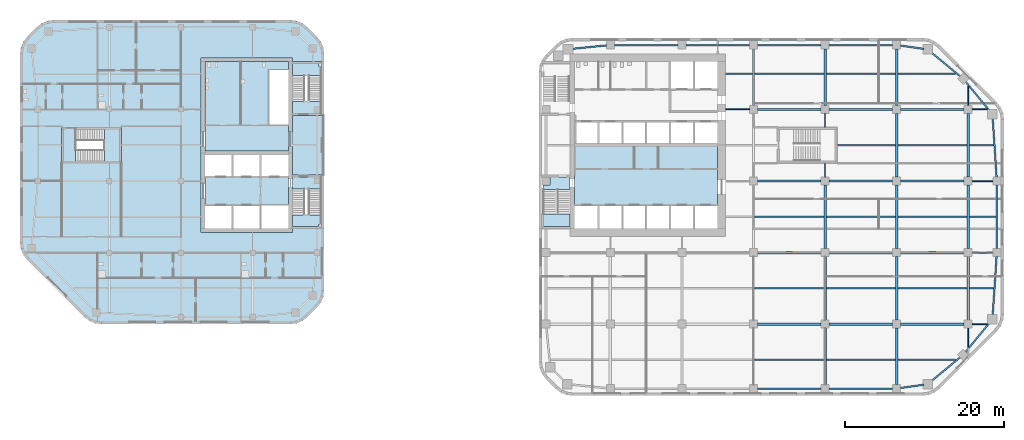
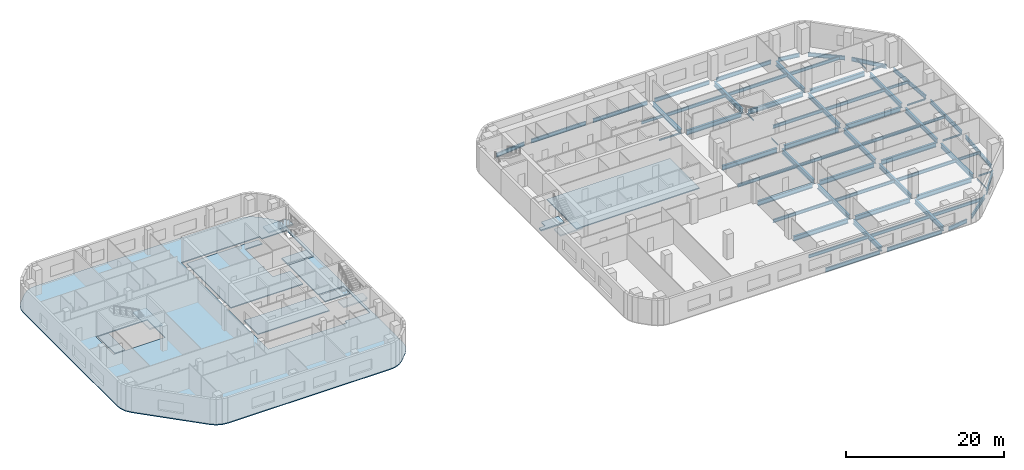
# One storey, part 3 of 16: 68 beams, 12 slabs, 4 elements without a shape of their own.
"""IFC4 building model written with IfcOpenShell, lengths in metres."""

import ifcopenshell
import ifcopenshell.guid

model = None  # the IFC model being written
_history = None  # IfcOwnerHistory: only IFC2X3 demands one
_inside = {}  # id of a spatial element -> (the spatial element, [elements in it])
_under = {}  # id of a project, library or spatial element -> (it, [spatial elements below it])
_declared = {}  # id of a project -> (the project, [libraries it declares])
_typed = {}  # id of a type object -> (the type object, [elements of that type])
_made_of = {}  # id of a material, layer set ... -> (it, [elements and type objects made of it])


def new_model(schema):
    """Start an empty IFC model of exactly this schema.

    Asked for "IFC4X3", IfcOpenShell would pick the latest addendum, in which some entities
    have other attributes; the version numbers below select the first issue.
    IFC2X3 requires an IfcOwnerHistory on every rooted entity: one is made here for all.
    """
    global model, _history
    if schema == "IFC4X3":
        model = ifcopenshell.file(schema_version=(4, 3, 0, 0))
    else:
        model = ifcopenshell.file(schema=schema)
    _inside.clear()
    _under.clear()
    _declared.clear()
    _typed.clear()
    _made_of.clear()
    _history = None
    if model.schema == "IFC2X3":
        org = make("IfcOrganization", Name="unknown")
        user = make(
            "IfcPersonAndOrganization",
            ThePerson=make("IfcPerson", FamilyName="unknown"),
            TheOrganization=org,
        )
        app = make(
            "IfcApplication",
            ApplicationDeveloper=org,
            Version="unknown",
            ApplicationFullName="unknown",
            ApplicationIdentifier="unknown",
        )
        _history = make(
            "IfcOwnerHistory",
            OwningUser=user,
            OwningApplication=app,
            ChangeAction="ADDED",
            CreationDate=0,
        )
    return model


def make(cls, **values):
    """One entity of the class cls with the attributes given. An attribute that is None is left unset."""
    return model.create_entity(
        cls, **{name: value for name, value in values.items() if value is not None}
    )


def rooted(cls, **values):
    """An entity with a GlobalId (a new one), such as an element, a storey or a relation."""
    return make(cls, GlobalId=ifcopenshell.guid.new(), OwnerHistory=_history, **values)


def si_unit(unit_type, name, prefix=None):
    """IfcSIUnit, for example si_unit("LENGTHUNIT", "METRE", prefix="MILLI")."""
    return make("IfcSIUnit", UnitType=unit_type, Prefix=prefix, Name=name)


def assignment(units):
    """IfcUnitAssignment: the units of a project."""
    return None if units is None else make("IfcUnitAssignment", Units=units)


def point(xyz):
    """IfcCartesianPoint."""
    return None if xyz is None else make("IfcCartesianPoint", Coordinates=xyz)


def direction(xyz):
    """IfcDirection."""
    return None if xyz is None else make("IfcDirection", DirectionRatios=xyz)


def frame(location, z_axis=None, x_axis=None):
    """IfcAxis2Placement3D, a coordinate frame: its origin and axes. An axis left out is left unset."""
    return make(
        "IfcAxis2Placement3D",
        Location=point(location),
        Axis=direction(z_axis),
        RefDirection=direction(x_axis),
    )


def frame_2d(location, x_axis=None):
    """IfcAxis2Placement2D, a coordinate frame in the plane: its origin and x axis."""
    return make(
        "IfcAxis2Placement2D", Location=point(location), RefDirection=direction(x_axis)
    )


def origin():
    """The frame at (0, 0, 0) with its axes left unset."""
    return frame((0.0, 0.0, 0.0))


def origin_2d():
    """The frame at (0, 0) in the plane with its x axis left unset."""
    return frame_2d((0.0, 0.0))


def place(relative_to, where):
    """IfcLocalPlacement: puts the frame where relative to a parent placement (None: the world)."""
    return make(
        "IfcLocalPlacement", PlacementRelTo=relative_to, RelativePlacement=where
    )


def context(
    kind, dimensions, precision=None, world=None, true_north=None, identifier=None
):
    """IfcGeometricRepresentationContext, for example the 3D "Model" context."""
    return make(
        "IfcGeometricRepresentationContext",
        ContextIdentifier=identifier,
        ContextType=kind,
        CoordinateSpaceDimension=dimensions,
        Precision=precision,
        WorldCoordinateSystem=world,
        TrueNorth=true_north,
    )


def subcontext(parent, identifier, kind, view, scale=None):
    """IfcGeometricRepresentationSubContext, for example "Body" below "Model"."""
    return make(
        "IfcGeometricRepresentationSubContext",
        ContextIdentifier=identifier,
        ContextType=kind,
        ParentContext=parent,
        TargetScale=scale,
        TargetView=view,
    )


def project(units=None, contexts=None):
    """IfcProject with its units and contexts."""
    return rooted(
        "IfcProject",
        Name="project",
        RepresentationContexts=contexts,
        UnitsInContext=assignment(units),
    )


def spatial(cls, under=None, at=None, **own):
    """A site, building, storey or space (cls), placed at a placement, below another one or the project."""
    s = rooted(cls, ObjectPlacement=at, **own)
    if under is not None:
        _under.setdefault(under.id(), (under, []))[1].append(s)
    return s


def polyline(points):
    """IfcPolyline through the points."""
    return make("IfcPolyline", Points=[point(p) for p in points])


def profile(cls, at=None, kind="AREA", **sizes):
    """A parametric profile (cls). Its sizes go by their IFC names, for example OverallWidth=200.0."""
    return make(cls, ProfileType=kind, Position=at, **sizes)


def i_section(**sizes):
    """IfcIShapeProfileDef."""
    return profile("IfcIShapeProfileDef", **sizes)


def outline(outer, holes=None, kind="AREA"):
    """IfcArbitraryClosedProfileDef: a profile drawn as a closed curve; with holes, ...WithVoids."""
    if holes is None:
        return make("IfcArbitraryClosedProfileDef", ProfileType=kind, OuterCurve=outer)
    return make(
        "IfcArbitraryProfileDefWithVoids",
        ProfileType=kind,
        OuterCurve=outer,
        InnerCurves=holes,
    )


def extrude(swept, where, along, depth):
    """IfcExtrudedAreaSolid: the profile swept, set in the frame where, extruded along a direction by depth."""
    return make(
        "IfcExtrudedAreaSolid",
        SweptArea=swept,
        Position=where,
        ExtrudedDirection=direction(along),
        Depth=depth,
    )


def shape(context_of_items, identifier, shape_type, items):
    """IfcShapeRepresentation: the items that make up one representation, for example the "Body"."""
    return make(
        "IfcShapeRepresentation",
        ContextOfItems=context_of_items,
        RepresentationIdentifier=identifier,
        RepresentationType=shape_type,
        Items=items,
    )


def material(Name=None, Category=None):
    """IfcMaterial."""
    return make("IfcMaterial", Name=Name, Category=Category)


def layer(
    of_material, thickness, ventilated=None, Name=None, Category=None, Priority=None
):
    """IfcMaterialLayer: one layer of a wall or slab, of a material (None: an air gap)."""
    return make(
        "IfcMaterialLayer",
        Material=of_material,
        LayerThickness=thickness,
        IsVentilated=ventilated,
        Name=Name,
        Category=Category,
        Priority=Priority,
    )


def layer_set(layers, Name=None):
    """IfcMaterialLayerSet."""
    return make("IfcMaterialLayerSet", MaterialLayers=layers, LayerSetName=Name)


def material_profile(
    of_material, cross_section, Name=None, Category=None, Priority=None
):
    """IfcMaterialProfile: a cross section and its material."""
    return make(
        "IfcMaterialProfile",
        Name=Name,
        Material=of_material,
        Profile=cross_section,
        Priority=Priority,
        Category=Category,
    )


def profile_set(profiles, Name=None, composite=None):
    """IfcMaterialProfileSet."""
    return make(
        "IfcMaterialProfileSet",
        Name=Name,
        MaterialProfiles=profiles,
        CompositeProfile=composite,
    )


def made_of(thing, what):
    """Note that an element or type object is made of a material, layer set ...; save() writes the relation."""
    if what is not None:
        _made_of.setdefault(what.id(), (what, []))[1].append(thing)
    return thing


def type_object(cls, material=None, **own):
    """A type object (cls), such as IfcWallType, which elements share."""
    return made_of(rooted(cls, **own), material)


def element(
    cls,
    number,
    at=None,
    inside=None,
    cuts=None,
    type_object=None,
    material=None,
    context=None,
    identifier="Body",
    shape_type=None,
    held_by="IfcProductDefinitionShape",
    body=None,
    shapes=None,
    **own,
):
    """One element of the class cls, such as IfcWall. Its Tag is "e" and its number.

    at: its placement. inside: the storey or other place that contains it. cuts: it is an
    opening in that element (IfcRelVoidsElement). A single representation is given by context,
    identifier, shape_type and body (its items); several are given by shapes. held_by: the class
    of the entity that holds the representations. save() writes the other relations.
    """
    e = rooted(cls, Tag="e%d" % number, ObjectPlacement=at, **own)
    if body is not None:
        shapes = [shape(context, identifier, shape_type, body)]
    if shapes is not None:
        e.Representation = make(held_by, Representations=shapes)
    if inside is not None:
        _inside.setdefault(inside.id(), (inside, []))[1].append(e)
    if cuts is not None:
        rooted(
            "IfcRelVoidsElement", RelatingBuildingElement=cuts, RelatedOpeningElement=e
        )
    if type_object is not None:
        _typed.setdefault(type_object.id(), (type_object, []))[1].append(e)
    return made_of(e, material)


def aggregate(whole, parts):
    """IfcRelAggregates: a whole, such as a stair, and the parts it consists of."""
    return rooted("IfcRelAggregates", RelatingObject=whole, RelatedObjects=parts)


def save(model, path):
    """Write the relations noted so far, then the file.

    IfcRelAggregates (storeys below a building ...), IfcRelContainedInSpatialStructure (elements
    in a storey), IfcRelDefinesByType, IfcRelAssociatesMaterial and IfcRelDeclares: one each for
    every whole, place, type object, material and project.
    """
    for whole, parts in _under.values():
        aggregate(whole, parts)
    for where, things in _inside.values():
        rooted(
            "IfcRelContainedInSpatialStructure",
            RelatedElements=things,
            RelatingStructure=where,
        )
    for kind, things in _typed.values():
        rooted("IfcRelDefinesByType", RelatedObjects=things, RelatingType=kind)
    for what, things in _made_of.values():
        rooted("IfcRelAssociatesMaterial", RelatedObjects=things, RelatingMaterial=what)
    for by, libraries in _declared.values():
        rooted("IfcRelDeclares", RelatingContext=by, RelatedDefinitions=libraries)
    model.write(path)


model = new_model("IFC4")

# Units and contexts
model_context = context("Model", 3, precision=1e-05, world=origin(), true_north=direction((0.0, 1.0)))
body_context = subcontext(model_context, "Body", "Model", "MODEL_VIEW")
ifc_project = project(units=[si_unit("LENGTHUNIT", "METRE"), si_unit("AREAUNIT", "SQUARE_METRE"), si_unit("VOLUMEUNIT", "CUBIC_METRE"), si_unit("PLANEANGLEUNIT", "RADIAN"), si_unit("MASSUNIT", "GRAM", prefix="KILO")], contexts=[model_context])

# Site, building, storey
site_placement = place(None, origin())
site = spatial("IfcSite", under=ifc_project, at=site_placement, CompositionType="ELEMENT")
building_placement = place(site_placement, origin())
building = spatial("IfcBuilding", under=site, at=building_placement, Name="Cinnabar Reach Civic Tower", CompositionType="ELEMENT")
storey_placement = place(building_placement, frame((0.0, 0.0, 79.0)))
storey = spatial("IfcBuildingStorey", under=building, at=storey_placement, Name="L18", CompositionType="ELEMENT", Elevation=79.0)

# Beams
ifc_material_1 = material(Name="Steel Q355B", Category="steel")
ifc_material_profile_1 = material_profile(ifc_material_1, i_section(OverallWidth=0.099, OverallDepth=0.198, WebThickness=0.0045, FlangeThickness=0.007, FilletRadius=0.013, at=origin_2d()), Name="HN200x100x5.5x8")
ifc_profile_set_1 = profile_set([ifc_material_profile_1], Name="Steel Q355B")
beam_type_1 = type_object("IfcBeamType", Name="HN200x100x5.5x8 beam R 180", PredefinedType="BEAM", material=ifc_profile_set_1)
for number, where, z_axis, x_axis, name in (
    (1, (36.0, 27.502, -0.249), (0.0, 1.0, 0.0), (-1.0, 0.0, 0.0), "Girder T1 L18 15"),
    (2, (36.0, 33.752, -0.249), (0.0, 1.0, 0.0), (-1.0, 0.0, 0.0), "Girder T1 L18 16"),
):
    element("IfcBeam", number, at=place(storey_placement, frame(where, z_axis=z_axis, x_axis=x_axis)), inside=storey, type_object=beam_type_1, Name=name, PredefinedType="BEAM", context=body_context, shape_type="SweptSolid", body=[
        extrude(i_section(OverallWidth=0.099, OverallDepth=0.198, WebThickness=0.0045, FlangeThickness=0.007, FilletRadius=0.013, at=origin_2d()), origin(), (0.0, 0.0, 1.0), 1.746),
    ])
for number, where, z_axis, x_axis, name in (
    (3, (54.0, 6.0682, -0.249), (0.0, 1.0, 0.0), (-1.0, 0.0, 0.0), "Girder T1 L18 23"),
    (4, (54.0, 36.502, -0.249), (0.0, 1.0, 0.0), (-1.0, 0.0, 0.0), "Girder T1 L18 27"),
):
    element("IfcBeam", number, at=place(storey_placement, frame(where, z_axis=z_axis, x_axis=x_axis)), inside=storey, type_object=beam_type_1, Name=name, PredefinedType="BEAM", context=body_context, shape_type="SweptSolid", body=[
        extrude(i_section(OverallWidth=0.099, OverallDepth=0.198, WebThickness=0.0045, FlangeThickness=0.007, FilletRadius=0.013, at=origin_2d()), origin(), (0.0, 0.0, 1.0), 2.4298),
    ])
ifc_material_profile_2 = material_profile(ifc_material_1, i_section(OverallWidth=0.124, OverallDepth=0.248, WebThickness=0.005, FlangeThickness=0.008, FilletRadius=0.013, at=origin_2d()), Name="HN250x125x6x9")
ifc_profile_set_2 = profile_set([ifc_material_profile_2], Name="Steel Q355B")
beam_type_2 = type_object("IfcBeamType", Name="HN250x125x6x9 beam R 180", PredefinedType="BEAM", material=ifc_profile_set_2)
beam_1_placement = place(storey_placement, frame((54.502, 9.0, -0.274), z_axis=(1.0, 0.0, 0.0), x_axis=(0.0, 1.0, 0.0)))
element("IfcBeam", 5, at=beam_1_placement, inside=storey, type_object=beam_type_2, Name="Girder T1 L18 7", PredefinedType="BEAM", context=body_context, shape_type="SweptSolid", body=[
    extrude(i_section(OverallWidth=0.124, OverallDepth=0.248, WebThickness=0.005, FlangeThickness=0.008, FilletRadius=0.013, at=origin_2d()), origin(), (0.0, 0.0, 1.0), 1.9162),
])
for number, where, z_axis, x_axis, name in (
    (6, (54.502, 18.0, -0.274), (1.0, 0.0, 0.0), (0.0, 1.0, 0.0), "Girder T1 L18 14"),
    (7, (54.502, 27.0, -0.274), (1.0, 0.0, 0.0), (0.0, 1.0, 0.0), "Girder T1 L18 19"),
):
    element("IfcBeam", number, at=place(storey_placement, frame(where, z_axis=z_axis, x_axis=x_axis)), inside=storey, type_object=beam_type_2, Name=name, PredefinedType="BEAM", context=body_context, shape_type="SweptSolid", body=[
        extrude(i_section(OverallWidth=0.124, OverallDepth=0.248, WebThickness=0.005, FlangeThickness=0.008, FilletRadius=0.013, at=origin_2d()), origin(), (0.0, 0.0, 1.0), 2.596),
    ])
beam_2_placement = place(storey_placement, frame((23.502, 36.0, -0.274), z_axis=(1.0, 0.0, 0.0), x_axis=(0.0, 1.0, 0.0)))
element("IfcBeam", 8, at=beam_2_placement, inside=storey, type_object=beam_type_2, Name="Girder T1 L18 20", PredefinedType="BEAM", context=body_context, shape_type="SweptSolid", body=[
    extrude(i_section(OverallWidth=0.124, OverallDepth=0.248, WebThickness=0.005, FlangeThickness=0.008, FilletRadius=0.013, at=origin_2d()), origin(), (0.0, 0.0, 1.0), 2.996),
])
beam_3_placement = place(storey_placement, frame((54.502, 36.0, -0.274), z_axis=(1.0, 0.0, 0.0), x_axis=(0.0, 1.0, 0.0)))
element("IfcBeam", 9, at=beam_3_placement, inside=storey, type_object=beam_type_2, Name="Girder T1 L18 24", PredefinedType="BEAM", context=body_context, shape_type="SweptSolid", body=[
    extrude(i_section(OverallWidth=0.124, OverallDepth=0.248, WebThickness=0.005, FlangeThickness=0.008, FilletRadius=0.013, at=origin_2d()), origin(), (0.0, 0.0, 1.0), 1.9162),
])
ifc_material_profile_3 = material_profile(ifc_material_1, i_section(OverallWidth=0.2, OverallDepth=0.4, WebThickness=0.008, FlangeThickness=0.013, FilletRadius=0.016, at=origin_2d()), Name="HN400x200x8x13")
ifc_profile_set_3 = profile_set([ifc_material_profile_3], Name="Steel Q355B")
beam_type_3 = type_object("IfcBeamType", Name="HN400x200x8x13 beam R 180", PredefinedType="BEAM", material=ifc_profile_set_3)
beam_4_placement = place(storey_placement, frame((54.152, 13.5, -0.35), z_axis=(1.0, 0.0, 0.0), x_axis=(0.0, 1.0, 0.0)))
element("IfcBeam", 10, at=beam_4_placement, inside=storey, type_object=beam_type_3, Name="Secondary beam T1 L18 13", PredefinedType="BEAM", context=body_context, shape_type="SweptSolid", body=[
    extrude(i_section(OverallWidth=0.2, OverallDepth=0.4, WebThickness=0.008, FlangeThickness=0.013, FilletRadius=0.016, at=origin_2d()), origin(), (0.0, 0.0, 1.0), 3.0494),
])
beam_5_placement = place(storey_placement, frame((54.152, 22.5, -0.35), z_axis=(1.0, 0.0, 0.0), x_axis=(0.0, 1.0, 0.0)))
element("IfcBeam", 11, at=beam_5_placement, inside=storey, type_object=beam_type_3, Name="Secondary beam T1 L18 18", PredefinedType="BEAM", context=body_context, shape_type="SweptSolid", body=[
    extrude(i_section(OverallWidth=0.2, OverallDepth=0.4, WebThickness=0.008, FlangeThickness=0.013, FilletRadius=0.016, at=origin_2d()), origin(), (0.0, 0.0, 1.0), 3.346),
])
beam_6_placement = place(storey_placement, frame((54.152, 31.5, -0.35), z_axis=(1.0, 0.0, 0.0), x_axis=(0.0, 1.0, 0.0)))
element("IfcBeam", 12, at=beam_6_placement, inside=storey, type_object=beam_type_3, Name="Secondary beam T1 L18 24", PredefinedType="BEAM", context=body_context, shape_type="SweptSolid", body=[
    extrude(i_section(OverallWidth=0.2, OverallDepth=0.4, WebThickness=0.008, FlangeThickness=0.013, FilletRadius=0.016, at=origin_2d()), origin(), (0.0, 0.0, 1.0), 3.0494),
])
beam_7_placement = place(storey_placement, frame((23.502, 40.5, -0.35), z_axis=(1.0, 0.0, 0.0), x_axis=(0.0, 1.0, 0.0)))
element("IfcBeam", 13, at=beam_7_placement, inside=storey, type_object=beam_type_3, Name="Secondary beam T1 L18 25", PredefinedType="BEAM", context=body_context, shape_type="SweptSolid", body=[
    extrude(i_section(OverallWidth=0.2, OverallDepth=0.4, WebThickness=0.008, FlangeThickness=0.013, FilletRadius=0.016, at=origin_2d()), origin(), (0.0, 0.0, 1.0), 3.346),
])
ifc_material_profile_4 = material_profile(ifc_material_1, i_section(OverallWidth=0.2, OverallDepth=0.5, WebThickness=0.01, FlangeThickness=0.016, FilletRadius=0.016, at=origin_2d()), Name="HN500x200x10x16")
ifc_profile_set_4 = profile_set([ifc_material_profile_4], Name="Steel Q355B")
beam_type_4 = type_object("IfcBeamType", Name="HN500x200x10x16 beam R 180", PredefinedType="BEAM", material=ifc_profile_set_4)
for number, where, z_axis, x_axis, name in (
    (14, (27.152, 4.5, -0.4), (1.0, 0.0, 0.0), (0.0, 1.0, 0.0), "Secondary beam T1 L18 4"),
    (15, (36.152, 4.5, -0.4), (1.0, 0.0, 0.0), (0.0, 1.0, 0.0), "Secondary beam T1 L18 5"),
):
    element("IfcBeam", number, at=place(storey_placement, frame(where, z_axis=z_axis, x_axis=x_axis)), inside=storey, type_object=beam_type_4, Name=name, PredefinedType="BEAM", context=body_context, shape_type="SweptSolid", body=[
        extrude(i_section(OverallWidth=0.2, OverallDepth=0.5, WebThickness=0.01, FlangeThickness=0.016, FilletRadius=0.016, at=origin_2d()), origin(), (0.0, 0.0, 1.0), 8.696),
    ])
beam_8_placement = place(storey_placement, frame((45.152, 4.5, -0.4), z_axis=(1.0, 0.0, 0.0), x_axis=(0.0, 1.0, 0.0)))
element("IfcBeam", 16, at=beam_8_placement, inside=storey, type_object=beam_type_4, Name="Secondary beam T1 L18 6", PredefinedType="BEAM", context=body_context, shape_type="SweptSolid", body=[
    extrude(i_section(OverallWidth=0.2, OverallDepth=0.5, WebThickness=0.01, FlangeThickness=0.016, FilletRadius=0.016, at=origin_2d()), origin(), (0.0, 0.0, 1.0), 7.2798),
])
for number, where, z_axis, x_axis, name in (
    (17, (27.152, 13.5, -0.4), (1.0, 0.0, 0.0), (0.0, 1.0, 0.0), "Secondary beam T1 L18 10"),
    (18, (36.152, 13.5, -0.4), (1.0, 0.0, 0.0), (0.0, 1.0, 0.0), "Secondary beam T1 L18 11"),
    (19, (45.152, 13.5, -0.4), (1.0, 0.0, 0.0), (0.0, 1.0, 0.0), "Secondary beam T1 L18 12"),
    (20, (27.152, 22.5, -0.4), (1.0, 0.0, 0.0), (0.0, 1.0, 0.0), "Secondary beam T1 L18 15"),
    (21, (36.152, 22.5, -0.4), (1.0, 0.0, 0.0), (0.0, 1.0, 0.0), "Secondary beam T1 L18 16"),
    (22, (45.152, 22.5, -0.4), (1.0, 0.0, 0.0), (0.0, 1.0, 0.0), "Secondary beam T1 L18 17"),
):
    element("IfcBeam", number, at=place(storey_placement, frame(where, z_axis=z_axis, x_axis=x_axis)), inside=storey, type_object=beam_type_4, Name=name, PredefinedType="BEAM", context=body_context, shape_type="SweptSolid", body=[
        extrude(i_section(OverallWidth=0.2, OverallDepth=0.5, WebThickness=0.01, FlangeThickness=0.016, FilletRadius=0.016, at=origin_2d()), origin(), (0.0, 0.0, 1.0), 8.696),
    ])
beam_9_placement = place(storey_placement, frame((37.502, 31.5, -0.4), z_axis=(1.0, 0.0, 0.0), x_axis=(0.0, 1.0, 0.0)))
element("IfcBeam", 23, at=beam_9_placement, inside=storey, type_object=beam_type_4, Name="Secondary beam T1 L18 22", PredefinedType="BEAM", context=body_context, shape_type="SweptSolid", body=[
    extrude(i_section(OverallWidth=0.2, OverallDepth=0.5, WebThickness=0.01, FlangeThickness=0.016, FilletRadius=0.016, at=origin_2d()), origin(), (0.0, 0.0, 1.0), 7.346),
])
for number, where, z_axis, x_axis, name in (
    (24, (45.152, 31.5, -0.4), (1.0, 0.0, 0.0), (0.0, 1.0, 0.0), "Secondary beam T1 L18 23"),
    (25, (27.152, 40.5, -0.4), (1.0, 0.0, 0.0), (0.0, 1.0, 0.0), "Secondary beam T1 L18 26"),
    (26, (36.152, 40.5, -0.4), (1.0, 0.0, 0.0), (0.0, 1.0, 0.0), "Secondary beam T1 L18 27"),
):
    element("IfcBeam", number, at=place(storey_placement, frame(where, z_axis=z_axis, x_axis=x_axis)), inside=storey, type_object=beam_type_4, Name=name, PredefinedType="BEAM", context=body_context, shape_type="SweptSolid", body=[
        extrude(i_section(OverallWidth=0.2, OverallDepth=0.5, WebThickness=0.01, FlangeThickness=0.016, FilletRadius=0.016, at=origin_2d()), origin(), (0.0, 0.0, 1.0), 8.696),
    ])
beam_10_placement = place(storey_placement, frame((45.152, 40.5, -0.4), z_axis=(1.0, 0.0, 0.0), x_axis=(0.0, 1.0, 0.0)))
element("IfcBeam", 27, at=beam_10_placement, inside=storey, type_object=beam_type_4, Name="Secondary beam T1 L18 28", PredefinedType="BEAM", context=body_context, shape_type="SweptSolid", body=[
    extrude(i_section(OverallWidth=0.2, OverallDepth=0.5, WebThickness=0.01, FlangeThickness=0.016, FilletRadius=0.016, at=origin_2d()), origin(), (0.0, 0.0, 1.0), 7.2798),
])
ifc_material_profile_5 = material_profile(ifc_material_1, i_section(OverallWidth=0.2, OverallDepth=0.6, WebThickness=0.011, FlangeThickness=0.017, FilletRadius=0.016, at=origin_2d()), Name="HN600x200x11x17")
ifc_profile_set_5 = profile_set([ifc_material_profile_5], Name="Steel Q355B")
beam_type_5 = type_object("IfcBeamType", Name="HN600x200x11x17 beam R 180", PredefinedType="BEAM", material=ifc_profile_set_5)
for number, where, z_axis, x_axis, name in (
    (28, (27.502, 0.9, -0.45), (1.0, 0.0, 0.0), (0.0, 1.0, 0.0), "Edge beam T1 L18 4"),
    (29, (36.502, 0.9, -0.45), (1.0, 0.0, 0.0), (0.0, 1.0, 0.0), "Edge beam T1 L18 5"),
):
    element("IfcBeam", number, at=place(storey_placement, frame(where, z_axis=z_axis, x_axis=x_axis)), inside=storey, type_object=beam_type_5, Name=name, PredefinedType="BEAM", context=body_context, shape_type="SweptSolid", body=[
        extrude(i_section(OverallWidth=0.2, OverallDepth=0.6, WebThickness=0.011, FlangeThickness=0.017, FilletRadius=0.016, at=origin_2d()), origin(), (0.0, 0.0, 1.0), 7.996),
    ])
beam_11_placement = place(storey_placement, frame((45.502, 0.9712, -0.45), z_axis=(0.990082238922, 0.140489003738, 0.0), x_axis=(-0.140489003738, 0.990082238922, 0.0)))
element("IfcBeam", 30, at=beam_11_placement, inside=storey, type_object=beam_type_5, Name="Edge beam T1 L18 6", PredefinedType="BEAM", context=body_context, shape_type="SweptSolid", body=[
    extrude(i_section(OverallWidth=0.2, OverallDepth=0.6, WebThickness=0.011, FlangeThickness=0.017, FilletRadius=0.016, at=origin_2d()), origin(), (0.0, 0.0, 1.0), 2.9433),
])
for number, where, z_axis, x_axis, name in (
    (31, (49.3801, 1.8507, -0.45), (0.77143827905, 0.6363041581, 0.0), (-0.6363041581, 0.77143827905, 0.0), "Edge beam T1 L18 7"),
    (32, (53.6461, 5.4789, -0.45), (0.6363041581, 0.77143827905, 0.0), (-0.77143827905, 0.6363041581, 0.0), "Edge beam T1 L18 8"),
):
    element("IfcBeam", number, at=place(storey_placement, frame(where, z_axis=z_axis, x_axis=x_axis)), inside=storey, type_object=beam_type_5, Name=name, PredefinedType="BEAM", context=body_context, shape_type="SweptSolid", body=[
        extrude(i_section(OverallWidth=0.2, OverallDepth=0.6, WebThickness=0.011, FlangeThickness=0.017, FilletRadius=0.016, at=origin_2d()), origin(), (0.0, 0.0, 1.0), 4.7198),
    ])
beam_12_placement = place(storey_placement, frame((57.0786, 10.0839, -0.45), z_axis=(0.065718615968, 0.997838195057, 0.0), x_axis=(-0.997838195057, 0.065718615968, 0.0)))
element("IfcBeam", 33, at=beam_12_placement, inside=storey, type_object=beam_type_5, Name="Edge beam T1 L18 9", PredefinedType="BEAM", context=body_context, shape_type="SweptSolid", body=[
    extrude(i_section(OverallWidth=0.2, OverallDepth=0.6, WebThickness=0.011, FlangeThickness=0.017, FilletRadius=0.016, at=origin_2d()), origin(), (0.0, 0.0, 1.0), 7.4302),
])
beam_13_placement = place(storey_placement, frame((57.6, 18.502, -0.45), z_axis=(0.0, 1.0, 0.0), x_axis=(-1.0, 0.0, 0.0)))
element("IfcBeam", 34, at=beam_13_placement, inside=storey, type_object=beam_type_5, Name="Edge beam T1 L18 10", PredefinedType="BEAM", context=body_context, shape_type="SweptSolid", body=[
    extrude(i_section(OverallWidth=0.2, OverallDepth=0.6, WebThickness=0.011, FlangeThickness=0.017, FilletRadius=0.016, at=origin_2d()), origin(), (0.0, 0.0, 1.0), 7.996),
])
beam_14_placement = place(storey_placement, frame((57.5669, 27.502, -0.45), z_axis=(-0.065718615968, 0.997838195057, 0.0), x_axis=(-0.997838195057, -0.065718615968, 0.0)))
element("IfcBeam", 35, at=beam_14_placement, inside=storey, type_object=beam_type_5, Name="Edge beam T1 L18 11", PredefinedType="BEAM", context=body_context, shape_type="SweptSolid", body=[
    extrude(i_section(OverallWidth=0.2, OverallDepth=0.6, WebThickness=0.011, FlangeThickness=0.017, FilletRadius=0.016, at=origin_2d()), origin(), (0.0, 0.0, 1.0), 7.4302),
])
for number, where, z_axis, x_axis, name in (
    (36, (56.6493, 35.8801, -0.45), (-0.6363041581, 0.77143827905, 0.0), (-0.77143827905, -0.6363041581, 0.0), "Edge beam T1 L18 12"),
    (37, (53.0211, 40.1461, -0.45), (-0.77143827905, 0.6363041581, 0.0), (-0.6363041581, -0.77143827905, 0.0), "Edge beam T1 L18 13"),
):
    element("IfcBeam", number, at=place(storey_placement, frame(where, z_axis=z_axis, x_axis=x_axis)), inside=storey, type_object=beam_type_5, Name=name, PredefinedType="BEAM", context=body_context, shape_type="SweptSolid", body=[
        extrude(i_section(OverallWidth=0.2, OverallDepth=0.6, WebThickness=0.011, FlangeThickness=0.017, FilletRadius=0.016, at=origin_2d()), origin(), (0.0, 0.0, 1.0), 4.7198),
    ])
beam_15_placement = place(storey_placement, frame((48.4161, 43.6153, -0.45), z_axis=(-0.990082238922, 0.140489003738, 0.0), x_axis=(-0.140489003738, -0.990082238922, 0.0)))
element("IfcBeam", 38, at=beam_15_placement, inside=storey, type_object=beam_type_5, Name="Edge beam T1 L18 14", PredefinedType="BEAM", context=body_context, shape_type="SweptSolid", body=[
    extrude(i_section(OverallWidth=0.2, OverallDepth=0.6, WebThickness=0.011, FlangeThickness=0.017, FilletRadius=0.016, at=origin_2d()), origin(), (0.0, 0.0, 1.0), 2.9433),
])
for number, where, z_axis, x_axis, name in (
    (39, (44.498, 44.1, -0.45), (-1.0, 0.0, 0.0), (0.0, -1.0, 0.0), "Edge beam T1 L18 15"),
    (40, (35.498, 44.1, -0.45), (-1.0, 0.0, 0.0), (0.0, -1.0, 0.0), "Edge beam T1 L18 16"),
    (41, (26.498, 44.1, -0.45), (-1.0, 0.0, 0.0), (0.0, -1.0, 0.0), "Edge beam T1 L18 17"),
    (42, (17.498, 44.1, -0.45), (-1.0, 0.0, 0.0), (0.0, -1.0, 0.0), "Edge beam T1 L18 18"),
):
    element("IfcBeam", number, at=place(storey_placement, frame(where, z_axis=z_axis, x_axis=x_axis)), inside=storey, type_object=beam_type_5, Name=name, PredefinedType="BEAM", context=body_context, shape_type="SweptSolid", body=[
        extrude(i_section(OverallWidth=0.2, OverallDepth=0.6, WebThickness=0.011, FlangeThickness=0.017, FilletRadius=0.016, at=origin_2d()), origin(), (0.0, 0.0, 1.0), 7.996),
    ])
beam_16_placement = place(storey_placement, frame((8.498, 44.0505, -0.45), z_axis=(-0.995166374533, -0.098203294236, 0.0), x_axis=(0.098203294236, -0.995166374533, 0.0)))
element("IfcBeam", 43, at=beam_16_placement, inside=storey, type_object=beam_type_5, Name="Edge beam T1 L18 19", PredefinedType="BEAM", context=body_context, shape_type="SweptSolid", body=[
    extrude(i_section(OverallWidth=0.2, OverallDepth=0.6, WebThickness=0.011, FlangeThickness=0.017, FilletRadius=0.016, at=origin_2d()), origin(), (0.0, 0.0, 1.0), 4.3705),
])
ifc_material_profile_6 = material_profile(ifc_material_1, i_section(OverallWidth=0.3, OverallDepth=0.692, WebThickness=0.013, FlangeThickness=0.02, FilletRadius=0.016, at=origin_2d()), Name="HN692x300x13x20")
ifc_profile_set_6 = profile_set([ifc_material_profile_6], Name="Steel Q355B")
beam_type_6 = type_object("IfcBeamType", Name="HN692x300x13x20 beam R 180", PredefinedType="BEAM", material=ifc_profile_set_6)
for number, where, z_axis, x_axis, name in (
    (44, (27.0, 36.502, -0.496), (0.0, 1.0, 0.0), (-1.0, 0.0, 0.0), "Girder T1 L18 11"),
    (45, (36.0, 1.402, -0.496), (0.0, 1.0, 0.0), (-1.0, 0.0, 0.0), "Girder T1 L18 12"),
):
    element("IfcBeam", number, at=place(storey_placement, frame(where, z_axis=z_axis, x_axis=x_axis)), inside=storey, type_object=beam_type_6, Name=name, PredefinedType="BEAM", context=body_context, shape_type="SweptSolid", body=[
        extrude(i_section(OverallWidth=0.3, OverallDepth=0.692, WebThickness=0.013, FlangeThickness=0.02, FilletRadius=0.016, at=origin_2d()), origin(), (0.0, 0.0, 1.0), 7.096),
    ])
for number, where, z_axis, x_axis, name in (
    (46, (36.0, 9.502, -0.496), (0.0, 1.0, 0.0), (-1.0, 0.0, 0.0), "Girder T1 L18 13"),
    (47, (36.0, 18.502, -0.496), (0.0, 1.0, 0.0), (-1.0, 0.0, 0.0), "Girder T1 L18 14"),
):
    element("IfcBeam", number, at=place(storey_placement, frame(where, z_axis=z_axis, x_axis=x_axis)), inside=storey, type_object=beam_type_6, Name=name, PredefinedType="BEAM", context=body_context, shape_type="SweptSolid", body=[
        extrude(i_section(OverallWidth=0.3, OverallDepth=0.692, WebThickness=0.013, FlangeThickness=0.02, FilletRadius=0.016, at=origin_2d()), origin(), (0.0, 0.0, 1.0), 7.996),
    ])
for number, where, z_axis, x_axis, name in (
    (48, (36.0, 36.502, -0.496), (0.0, 1.0, 0.0), (-1.0, 0.0, 0.0), "Girder T1 L18 17"),
    (49, (45.0, 1.402, -0.496), (0.0, 1.0, 0.0), (-1.0, 0.0, 0.0), "Girder T1 L18 18"),
):
    element("IfcBeam", number, at=place(storey_placement, frame(where, z_axis=z_axis, x_axis=x_axis)), inside=storey, type_object=beam_type_6, Name=name, PredefinedType="BEAM", context=body_context, shape_type="SweptSolid", body=[
        extrude(i_section(OverallWidth=0.3, OverallDepth=0.692, WebThickness=0.013, FlangeThickness=0.02, FilletRadius=0.016, at=origin_2d()), origin(), (0.0, 0.0, 1.0), 7.096),
    ])
for number, where, z_axis, x_axis, name in (
    (50, (45.0, 9.502, -0.496), (0.0, 1.0, 0.0), (-1.0, 0.0, 0.0), "Girder T1 L18 19"),
    (51, (45.0, 18.502, -0.496), (0.0, 1.0, 0.0), (-1.0, 0.0, 0.0), "Girder T1 L18 20"),
    (52, (45.0, 27.502, -0.496), (0.0, 1.0, 0.0), (-1.0, 0.0, 0.0), "Girder T1 L18 21"),
):
    element("IfcBeam", number, at=place(storey_placement, frame(where, z_axis=z_axis, x_axis=x_axis)), inside=storey, type_object=beam_type_6, Name=name, PredefinedType="BEAM", context=body_context, shape_type="SweptSolid", body=[
        extrude(i_section(OverallWidth=0.3, OverallDepth=0.692, WebThickness=0.013, FlangeThickness=0.02, FilletRadius=0.016, at=origin_2d()), origin(), (0.0, 0.0, 1.0), 7.996),
    ])
beam_17_placement = place(storey_placement, frame((45.0, 36.502, -0.496), z_axis=(0.0, 1.0, 0.0), x_axis=(-1.0, 0.0, 0.0)))
element("IfcBeam", 53, at=beam_17_placement, inside=storey, type_object=beam_type_6, Name="Girder T1 L18 22", PredefinedType="BEAM", context=body_context, shape_type="SweptSolid", body=[
    extrude(i_section(OverallWidth=0.3, OverallDepth=0.692, WebThickness=0.013, FlangeThickness=0.02, FilletRadius=0.016, at=origin_2d()), origin(), (0.0, 0.0, 1.0), 7.096),
])
for number, where, z_axis, x_axis, name in (
    (54, (54.0, 9.502, -0.496), (0.0, 1.0, 0.0), (-1.0, 0.0, 0.0), "Girder T1 L18 24"),
    (55, (54.0, 18.502, -0.496), (0.0, 1.0, 0.0), (-1.0, 0.0, 0.0), "Girder T1 L18 25"),
    (56, (54.0, 27.502, -0.496), (0.0, 1.0, 0.0), (-1.0, 0.0, 0.0), "Girder T1 L18 26"),
):
    element("IfcBeam", number, at=place(storey_placement, frame(where, z_axis=z_axis, x_axis=x_axis)), inside=storey, type_object=beam_type_6, Name=name, PredefinedType="BEAM", context=body_context, shape_type="SweptSolid", body=[
        extrude(i_section(OverallWidth=0.3, OverallDepth=0.692, WebThickness=0.013, FlangeThickness=0.02, FilletRadius=0.016, at=origin_2d()), origin(), (0.0, 0.0, 1.0), 7.996),
    ])
ifc_material_profile_7 = material_profile(ifc_material_1, i_section(OverallWidth=0.3, OverallDepth=0.7, WebThickness=0.013, FlangeThickness=0.024, FilletRadius=0.02, at=origin_2d()), Name="HN700x300x13x24")
ifc_profile_set_7 = profile_set([ifc_material_profile_7], Name="Steel Q355B")
beam_type_7 = type_object("IfcBeamType", Name="HN700x300x13x24 beam R 180", PredefinedType="BEAM", material=ifc_profile_set_7)
for number, where, z_axis, x_axis, name in (
    (57, (27.502, 9.0, -0.5), (1.0, 0.0, 0.0), (0.0, 1.0, 0.0), "Girder T1 L18 4"),
    (58, (36.502, 9.0, -0.5), (1.0, 0.0, 0.0), (0.0, 1.0, 0.0), "Girder T1 L18 5"),
    (59, (45.502, 9.0, -0.5), (1.0, 0.0, 0.0), (0.0, 1.0, 0.0), "Girder T1 L18 6"),
    (60, (27.502, 18.0, -0.5), (1.0, 0.0, 0.0), (0.0, 1.0, 0.0), "Girder T1 L18 11"),
    (61, (36.502, 18.0, -0.5), (1.0, 0.0, 0.0), (0.0, 1.0, 0.0), "Girder T1 L18 12"),
    (62, (45.502, 18.0, -0.5), (1.0, 0.0, 0.0), (0.0, 1.0, 0.0), "Girder T1 L18 13"),
    (63, (27.502, 27.0, -0.5), (1.0, 0.0, 0.0), (0.0, 1.0, 0.0), "Girder T1 L18 16"),
    (64, (36.502, 27.0, -0.5), (1.0, 0.0, 0.0), (0.0, 1.0, 0.0), "Girder T1 L18 17"),
    (65, (45.502, 27.0, -0.5), (1.0, 0.0, 0.0), (0.0, 1.0, 0.0), "Girder T1 L18 18"),
    (66, (27.502, 36.0, -0.5), (1.0, 0.0, 0.0), (0.0, 1.0, 0.0), "Girder T1 L18 21"),
    (67, (36.502, 36.0, -0.5), (1.0, 0.0, 0.0), (0.0, 1.0, 0.0), "Girder T1 L18 22"),
    (68, (45.502, 36.0, -0.5), (1.0, 0.0, 0.0), (0.0, 1.0, 0.0), "Girder T1 L18 23"),
):
    element("IfcBeam", number, at=place(storey_placement, frame(where, z_axis=z_axis, x_axis=x_axis)), inside=storey, type_object=beam_type_7, Name=name, PredefinedType="BEAM", context=body_context, shape_type="SweptSolid", body=[
        extrude(i_section(OverallWidth=0.3, OverallDepth=0.7, WebThickness=0.013, FlangeThickness=0.024, FilletRadius=0.02, at=origin_2d()), origin(), (0.0, 0.0, 1.0), 7.996),
    ])

# Slab
ifc_material_2 = material(Name="Concrete C40", Category="concrete")
ifc_layer_1 = layer(ifc_material_2, 0.15)
ifc_layer_set_1 = layer_set([ifc_layer_1], Name="Composite floor slab 150 REI 120")
slab_type_1 = type_object("IfcSlabType", Name="Composite floor slab 150 REI 120", PredefinedType="FLOOR", material=ifc_layer_set_1)
slab_1_placement = place(storey_placement, frame((0.0, 0.0, -0.15)))
element("IfcSlab", 69, at=slab_1_placement, inside=storey, type_object=slab_type_1, Name="Composite floor slab 150 T2 L18", PredefinedType="FLOOR", context=body_context, shape_type="SweptSolid", body=[
    extrude(outline(polyline([(-64.3713, 17.1213), (-64.8481, 17.7426), (-65.1478, 18.4662), (-65.25, 19.2426), (-65.25, 43.0074), (-65.1478, 43.7838), (-64.8481, 44.5074), (-64.3713, 45.1287), (-63.1287, 46.3713), (-62.5074, 46.8481), (-61.7838, 47.1478), (-61.0074, 47.25), (-31.2426, 47.25), (-30.4662, 47.1478), (-29.7426, 46.8481), (-29.1213, 46.3713), (-27.8787, 45.1287), (-27.4019, 44.5074), (-27.1022, 43.7838), (-27.0, 43.0074), (-27.0, 13.2426), (-27.1022, 12.4662), (-27.4019, 11.7426), (-27.8787, 11.1213), (-29.1213, 9.8787), (-29.7426, 9.4019), (-30.4662, 9.1022), (-31.2426, 9.0), (-55.0074, 9.0), (-55.7838, 9.1022), (-56.5074, 9.4019), (-57.1287, 9.8787), (-64.3713, 17.1213)]), holes=[polyline([(-31.0, 27.75), (-31.0, 35.25), (-27.36, 35.25), (-27.36, 42.0), (-31.0, 42.0), (-31.0, 42.5), (-42.5, 42.5), (-42.5, 20.5), (-31.0, 20.5), (-31.0, 21.0), (-27.36, 21.0), (-27.36, 27.75), (-31.0, 27.75)]), polyline([(-60.0, 33.75), (-60.0, 29.25), (-52.5, 29.25), (-52.5, 33.75), (-60.0, 33.75)])]), origin(), (0.0, 0.0, 1.0), 0.15),
])

# Stair, slabs
ifc_material_3 = material(Name="Concrete C40/50", Category="concrete")
stair_type_1 = type_object("IfcStairType", Name="T1 Exit stair, half-turn", PredefinedType="HALF_TURN_STAIR", material=ifc_material_3)
stair_1_placement = place(storey_placement, origin())
stair_1 = element("IfcStair", 70, at=stair_1_placement, inside=storey, type_object=stair_type_1, Name="Stair T1-S1", PredefinedType="HALF_TURN_STAIR")
ifc_layer_2 = layer(ifc_material_3, 0.2)
ifc_layer_set_2 = layer_set([ifc_layer_2], Name="T1 Stair landing 200, Concrete C40/50")
slab_type_2 = type_object("IfcSlabType", Name="T1 Stair landing 200, Concrete C40/50", PredefinedType="LANDING", material=ifc_layer_set_2)
slab_2_placement = place(storey_placement, frame((0.0, 0.0, -0.2)))
slab_2 = element("IfcSlab", 71, at=slab_2_placement, type_object=slab_type_2, Name="T1-S1 landing 1", PredefinedType="LANDING", context=body_context, shape_type="SweptSolid", body=[
    extrude(outline(polyline([(3.9, 27.5), (3.9, 25.95), (0.5, 25.95), (0.5, 26.5), (1.4, 26.5), (1.4, 27.5), (3.9, 27.5)])), origin(), (0.0, 0.0, 1.0), 0.2),
])
slab_3_placement = place(storey_placement, frame((0.0, 0.0, 1.8)))
slab_3 = element("IfcSlab", 72, at=slab_3_placement, type_object=slab_type_2, Name="T1-S1 landing 2", PredefinedType="LANDING", context=body_context, shape_type="SweptSolid", body=[
    extrude(outline(polyline([(0.6, 21.25), (0.6, 22.87), (3.9, 22.87), (3.9, 21.25), (0.6, 21.25)])), origin(), (0.0, 0.0, 1.0), 0.2),
])
aggregate(stair_1, [slab_2, slab_3])

# Slabs
ifc_layer_3 = layer(ifc_material_3, 0.15)
ifc_layer_set_3 = layer_set([ifc_layer_3], Name="T1 core floor slab 150")
slab_type_3 = type_object("IfcSlabType", Name="T1 core floor slab 150", PredefinedType="FLOOR", material=ifc_layer_set_3)
slab_4_placement = place(storey_placement, frame((0.0, 0.0, -0.15)))
element("IfcSlab", 73, at=slab_4_placement, inside=storey, type_object=slab_type_3, Name="Core floor slab L18", PredefinedType="FLOOR", context=body_context, shape_type="SweptSolid", body=[
    extrude(outline(polyline([(22.5, 24.0), (19.5, 24.0), (16.5, 24.0), (13.5, 24.0), (10.5, 24.0), (7.5, 24.0), (4.5, 24.0), (4.5, 31.5), (7.5, 31.5), (10.5, 31.5), (13.5, 31.5), (16.5, 31.5), (19.5, 31.5), (22.5, 31.5), (22.5, 24.0)])), origin(), (0.0, 0.0, 1.0), 0.15),
])
ifc_layer_4 = layer(ifc_material_2, 0.15)
ifc_layer_set_4 = layer_set([ifc_layer_4], Name="T2 Core floor slab 150")
slab_type_4 = type_object("IfcSlabType", Name="T2 Core floor slab 150", PredefinedType="FLOOR", material=ifc_layer_set_4)
slab_5_placement = place(storey_placement, frame((0.0, 0.0, -0.15)))
element("IfcSlab", 74, at=slab_5_placement, inside=storey, type_object=slab_type_4, Name="Core floor slab L18", PredefinedType="FLOOR", context=body_context, shape_type="SweptSolid", body=[
    extrude(outline(polyline([(-42.0, 42.0), (-31.5, 42.0), (-31.5, 41.0), (-34.0, 41.0), (-34.0, 34.0), (-31.5, 34.0), (-31.5, 30.75), (-42.0, 30.75), (-42.0, 42.0)])), origin(), (0.0, 0.0, 1.0), 0.15),
])
slab_6_placement = place(storey_placement, frame((0.0, 0.0, -0.15)))
element("IfcSlab", 75, at=slab_6_placement, inside=storey, type_object=slab_type_4, Name="Core floor slab L18", PredefinedType="FLOOR", context=body_context, shape_type="SweptSolid", body=[
    extrude(outline(polyline([(-35.0, 24.0), (-38.5, 24.0), (-42.0, 24.0), (-42.0, 27.5), (-38.5, 27.5), (-35.0, 27.5), (-31.5, 27.5), (-31.5, 24.0), (-35.0, 24.0)])), origin(), (0.0, 0.0, 1.0), 0.15),
])

# Stair, slabs
stair_type_2 = type_object("IfcStairType", Name="T2 Exit stair 1500", PredefinedType="HALF_TURN_STAIR", material=ifc_material_2)
stair_2_placement = place(storey_placement, origin())
stair_2 = element("IfcStair", 76, at=stair_2_placement, inside=storey, type_object=stair_type_2, Name="Exit stair 1", PredefinedType="HALF_TURN_STAIR")
ifc_layer_5 = layer(ifc_material_2, 0.2)
ifc_layer_set_5 = layer_set([ifc_layer_5], Name="T2 Stair landing 200")
slab_type_5 = type_object("IfcSlabType", Name="T2 Stair landing 200", PredefinedType="LANDING", material=ifc_layer_set_5)
slab_7_placement = place(storey_placement, frame((0.0, 0.0, -0.2)))
slab_7 = element("IfcSlab", 77, at=slab_7_placement, type_object=slab_type_5, Name="ST1 landing 1", PredefinedType="LANDING", context=body_context, shape_type="SweptSolid", body=[
    extrude(outline(polyline([(-31.0, 26.0), (-31.0, 27.5), (-27.4, 27.5), (-27.4, 26.0), (-31.0, 26.0)])), origin(), (0.0, 0.0, 1.0), 0.2),
])
slab_8_placement = place(storey_placement, frame((0.0, 0.0, 1.8)))
slab_8 = element("IfcSlab", 78, at=slab_8_placement, type_object=slab_type_5, Name="ST1 landing 2", PredefinedType="LANDING", context=body_context, shape_type="SweptSolid", body=[
    extrude(outline(polyline([(-31.0, 21.25), (-31.0, 22.75), (-27.4, 22.75), (-27.4, 21.55), (-27.7, 21.55), (-27.7, 21.25), (-31.0, 21.25)])), origin(), (0.0, 0.0, 1.0), 0.2),
])
aggregate(stair_2, [slab_7, slab_8])

stair_3_placement = place(storey_placement, origin())
stair_3 = element("IfcStair", 79, at=stair_3_placement, inside=storey, type_object=stair_type_2, Name="Exit stair 2", PredefinedType="HALF_TURN_STAIR")
slab_9_placement = place(storey_placement, frame((0.0, 0.0, -0.2)))
slab_9 = element("IfcSlab", 80, at=slab_9_placement, type_object=slab_type_5, Name="ST2 landing 1", PredefinedType="LANDING", context=body_context, shape_type="SweptSolid", body=[
    extrude(outline(polyline([(-31.0, 35.5), (-31.0, 37.0), (-27.4, 37.0), (-27.4, 35.5), (-31.0, 35.5)])), origin(), (0.0, 0.0, 1.0), 0.2),
])
slab_10_placement = place(storey_placement, frame((0.0, 0.0, 1.8)))
slab_10 = element("IfcSlab", 81, at=slab_10_placement, type_object=slab_type_5, Name="ST2 landing 2", PredefinedType="LANDING", context=body_context, shape_type="SweptSolid", body=[
    extrude(outline(polyline([(-27.4, 40.25), (-31.0, 40.25), (-31.0, 41.75), (-27.7, 41.75), (-27.7, 41.45), (-27.4, 41.45), (-27.4, 40.25)])), origin(), (0.0, 0.0, 1.0), 0.2),
])
aggregate(stair_3, [slab_9, slab_10])

stair_4_placement = place(storey_placement, origin())
stair_4 = element("IfcStair", 82, at=stair_4_placement, inside=storey, type_object=stair_type_2, Name="Exit stair 3", PredefinedType="HALF_TURN_STAIR")
slab_11_placement = place(storey_placement, frame((0.0, 0.0, -0.2)))
slab_11 = element("IfcSlab", 83, at=slab_11_placement, type_object=slab_type_5, Name="ST3 landing 1", PredefinedType="LANDING", context=body_context, shape_type="SweptSolid", body=[
    extrude(outline(polyline([(-59.75, 29.375), (-59.75, 33.625), (-58.25, 33.625), (-58.25, 29.375), (-59.75, 29.375)])), origin(), (0.0, 0.0, 1.0), 0.2),
])
slab_12_placement = place(storey_placement, frame((0.0, 0.0, 1.8)))
slab_12 = element("IfcSlab", 84, at=slab_12_placement, type_object=slab_type_5, Name="ST3 landing 2", PredefinedType="LANDING", context=body_context, shape_type="SweptSolid", body=[
    extrude(outline(polyline([(-54.65, 29.375), (-54.65, 33.625), (-52.75, 33.625), (-52.75, 29.375), (-54.65, 29.375)])), origin(), (0.0, 0.0, 1.0), 0.2),
])
aggregate(stair_4, [slab_11, slab_12])

save(model, "model.ifc")
